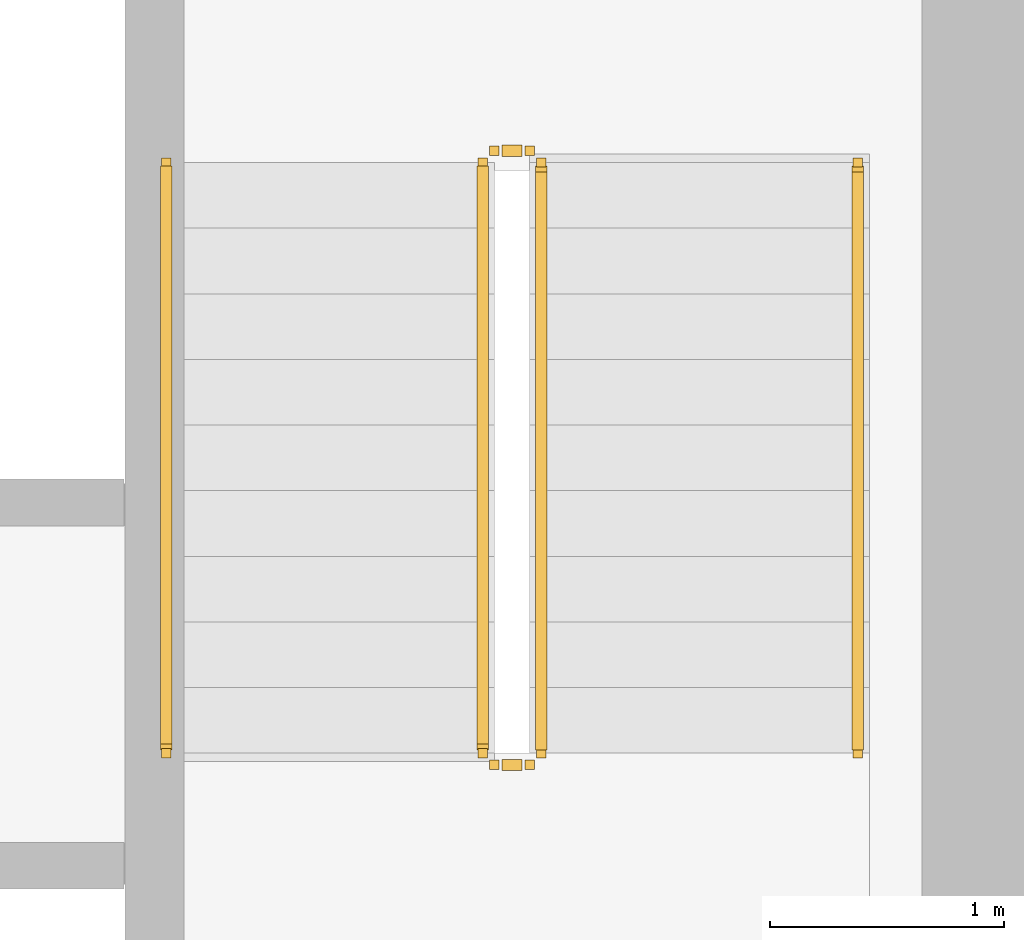
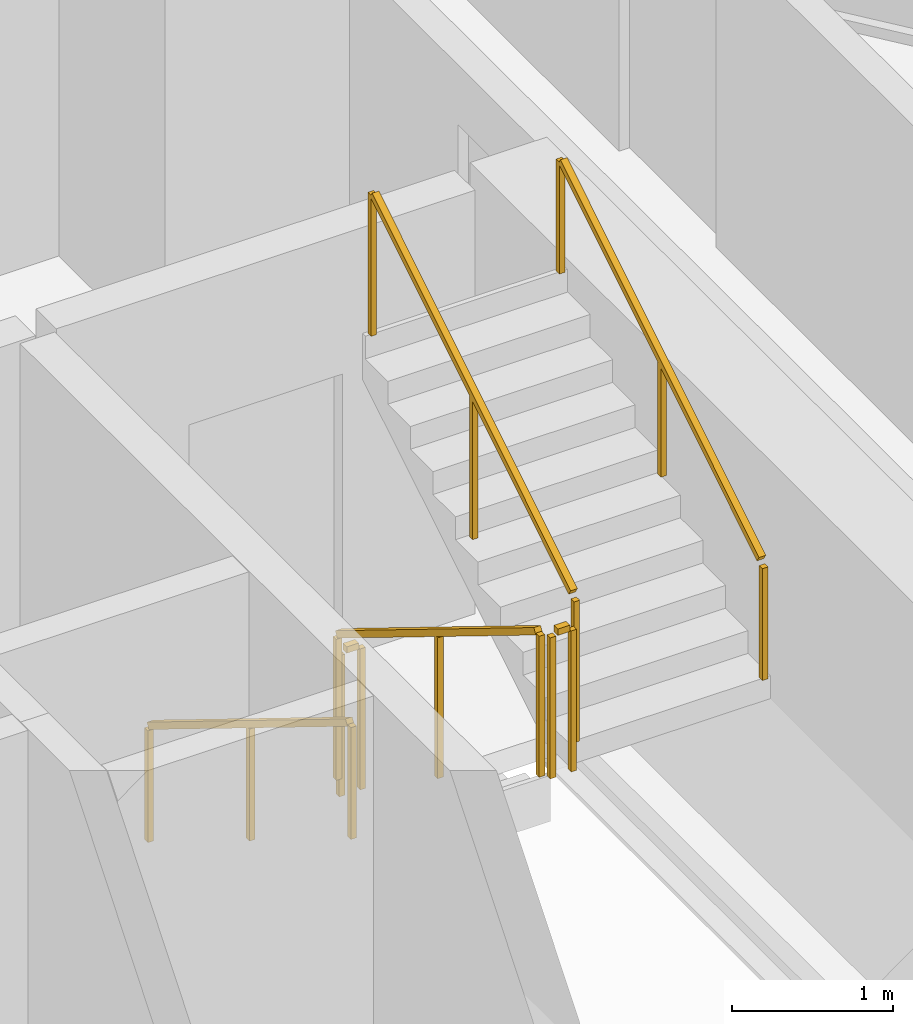
# One storey, part 14 of 15: 6 railings.
"""IFC4 building model written with IfcOpenShell, lengths in metres."""

from ifc_helpers import new_model, si_unit, direction, frame, origin, origin_2d, place, context, subcontext, project, spatial, rectangle, extrude, material, type_object, element, save


model = new_model("IFC4")

# Units and contexts
model_context = context("Model", 3, precision=1e-05, world=origin(), true_north=direction((0.0, 1.0)))
body_context = subcontext(model_context, "Body", "Model", "MODEL_VIEW")
ifc_project = project(units=[si_unit("LENGTHUNIT", "METRE"), si_unit("AREAUNIT", "SQUARE_METRE"), si_unit("VOLUMEUNIT", "CUBIC_METRE"), si_unit("PLANEANGLEUNIT", "RADIAN"), si_unit("MASSUNIT", "GRAM", prefix="KILO")], contexts=[model_context])

# Site, building, storey
site_placement = place(None, origin())
site = spatial("IfcSite", under=ifc_project, at=site_placement, CompositionType="ELEMENT")
building_placement = place(site_placement, origin())
building = spatial("IfcBuilding", under=site, at=building_placement, Name="Tharavind Bronze Gate", CompositionType="ELEMENT")
storey_placement = place(building_placement, frame((0.0, 0.0, 77.64990234375)))
storey = spatial("IfcBuildingStorey", under=building, at=storey_placement, Name="L19", CompositionType="ELEMENT", Elevation=77.64990234375)

# Railings
ifc_material = material(Name="Brushed Bronze Alloy", Category="metal")
railing_type_1 = type_object("IfcRailingType", Name="STAIR BRONZE HANDRAIL 900", PredefinedType="HANDRAIL", material=ifc_material)
railing_1_placement = place(storey_placement, frame((5.39990234375, 2.25, 0.172607421875)))
element("IfcRailing", 1, at=railing_1_placement, inside=storey, type_object=railing_type_1, Name="L19 ST2 stair handrail 1", PredefinedType="HANDRAIL", context=body_context, shape_type="SweptSolid", body=[
    extrude(rectangle(XDim=0.048095703125, YDim=0.048095703125, at=origin_2d()), frame((0.0, -0.02734375, 0.892578125), z_axis=(0.0, -0.851400495292, 0.524516154772), x_axis=(1.0, 0.0, 0.0)), (0.0, 0.0, 1.0), 2.895751953125),
    extrude(rectangle(XDim=0.0400390625, YDim=0.0400390625, at=origin_2d()), origin(), (0.0, 0.0, 1.0), 0.847900390625),
    extrude(rectangle(XDim=0.0400390625, YDim=0.0400390625, at=origin_2d()), frame((0.0, -1.260009765625, 0.7763671875)), (0.0, 0.0, 1.0), 0.847900390625),
    extrude(rectangle(XDim=0.0400390625, YDim=0.0400390625, at=origin_2d()), frame((0.0, -2.52001953125, 1.552490234375)), (0.0, 0.0, 1.0), 0.847900390625),
])
railing_2_placement = place(storey_placement, frame((8.35009765625, -0.27001953125, 1.897705078125)))
element("IfcRailing", 2, at=railing_2_placement, inside=storey, type_object=railing_type_1, Name="L19 ST2 stair handrail 2", PredefinedType="HANDRAIL", context=body_context, shape_type="SweptSolid", body=[
    extrude(rectangle(XDim=0.048095703125, YDim=0.048095703125, at=origin_2d()), frame((0.0, 0.02734375, 0.892578125), z_axis=(0.0, 0.851400495292, 0.524516154772), x_axis=(-1.0, 0.0, 0.0)), (0.0, 0.0, 1.0), 2.895751953125),
    extrude(rectangle(XDim=0.0400390625, YDim=0.0400390625, at=origin_2d()), origin(), (0.0, 0.0, 1.0), 0.847900390625),
    extrude(rectangle(XDim=0.0400390625, YDim=0.0400390625, at=origin_2d()), frame((0.0, 1.260009765625, 0.7763671875)), (0.0, 0.0, 1.0), 0.847900390625),
    extrude(rectangle(XDim=0.0400390625, YDim=0.0400390625, at=origin_2d()), frame((0.0, 2.52001953125, 1.552490234375)), (0.0, 0.0, 1.0), 0.847900390625),
])
railing_type_2 = type_object("IfcRailingType", Name="STAIR WELL GUARD RAILING 1120", PredefinedType="GUARDRAIL", material=ifc_material)
railing_3_placement = place(storey_placement, frame((6.75, 2.25, 0.172607421875)))
element("IfcRailing", 3, at=railing_3_placement, inside=storey, type_object=railing_type_2, Name="L19 ST2 stair guard 1", PredefinedType="GUARDRAIL", context=body_context, shape_type="SweptSolid", body=[
    extrude(rectangle(XDim=0.048095703125, YDim=0.048095703125, at=origin_2d()), frame((0.0, -0.02734375, 1.11279296875), z_axis=(0.0, -0.851400495292, 0.524516154772), x_axis=(1.0, 0.0, 0.0)), (0.0, 0.0, 1.0), 2.895751953125),
    extrude(rectangle(XDim=0.0400390625, YDim=0.0400390625, at=origin_2d()), origin(), (0.0, 0.0, 1.0), 1.068115234375),
    extrude(rectangle(XDim=0.0400390625, YDim=0.0400390625, at=origin_2d()), frame((0.0, -1.260009765625, 0.7763671875)), (0.0, 0.0, 1.0), 1.068115234375),
    extrude(rectangle(XDim=0.0400390625, YDim=0.0400390625, at=origin_2d()), frame((0.0, -2.52001953125, 1.552490234375)), (0.0, 0.0, 1.0), 1.068115234375),
])
railing_4_placement = place(storey_placement, frame((6.800048828125, -0.320068359375, 1.72509765625)))
element("IfcRailing", 4, at=railing_4_placement, inside=storey, type_object=railing_type_2, Name="L19 ST2 stair guard 2", PredefinedType="GUARDRAIL", context=body_context, shape_type="SweptSolid", body=[
    extrude(rectangle(XDim=0.048095703125, YDim=0.048095703125, at=origin_2d()), frame((0.031982421875, 0.0, 1.09619140625), z_axis=(1.0, 0.0, 0.0), x_axis=(0.0, 1.0, 0.0)), (0.0, 0.0, 1.0), 0.0859375),
    extrude(rectangle(XDim=0.0400390625, YDim=0.0400390625, at=origin_2d()), origin(), (0.0, 0.0, 1.0), 1.068115234375),
    extrude(rectangle(XDim=0.0400390625, YDim=0.0400390625, at=origin_2d()), frame((0.14990234375, 0.0, 0.0)), (0.0, 0.0, 1.0), 1.068115234375),
])
railing_5_placement = place(storey_placement, frame((7.0, -0.27001953125, 1.897705078125)))
element("IfcRailing", 5, at=railing_5_placement, inside=storey, type_object=railing_type_2, Name="L19 ST2 stair guard 3", PredefinedType="GUARDRAIL", context=body_context, shape_type="SweptSolid", body=[
    extrude(rectangle(XDim=0.048095703125, YDim=0.048095703125, at=origin_2d()), frame((0.0, 0.02734375, 1.11279296875), z_axis=(0.0, 0.851400495292, 0.524516154772), x_axis=(-1.0, 0.0, 0.0)), (0.0, 0.0, 1.0), 2.895751953125),
    extrude(rectangle(XDim=0.0400390625, YDim=0.0400390625, at=origin_2d()), origin(), (0.0, 0.0, 1.0), 1.068115234375),
    extrude(rectangle(XDim=0.0400390625, YDim=0.0400390625, at=origin_2d()), frame((0.0, 1.260009765625, 0.7763671875)), (0.0, 0.0, 1.0), 1.068115234375),
    extrude(rectangle(XDim=0.0400390625, YDim=0.0400390625, at=origin_2d()), frame((0.0, 2.52001953125, 1.552490234375)), (0.0, 0.0, 1.0), 1.068115234375),
])
railing_6_placement = place(storey_placement, frame((6.800048828125, 2.300048828125, 0.0)))
element("IfcRailing", 6, at=railing_6_placement, inside=storey, type_object=railing_type_2, Name="L19 ST2 stair guard 4", PredefinedType="GUARDRAIL", context=body_context, shape_type="SweptSolid", body=[
    extrude(rectangle(XDim=0.048095703125, YDim=0.048095703125, at=origin_2d()), frame((0.031982421875, 0.0, 1.09619140625), z_axis=(1.0, 0.0, 0.0), x_axis=(0.0, 1.0, 0.0)), (0.0, 0.0, 1.0), 0.0859375),
    extrude(rectangle(XDim=0.0400390625, YDim=0.0400390625, at=origin_2d()), origin(), (0.0, 0.0, 1.0), 1.068115234375),
    extrude(rectangle(XDim=0.0400390625, YDim=0.0400390625, at=origin_2d()), frame((0.14990234375, 0.0, 0.0)), (0.0, 0.0, 1.0), 1.068115234375),
])

save(model, "model.ifc")
